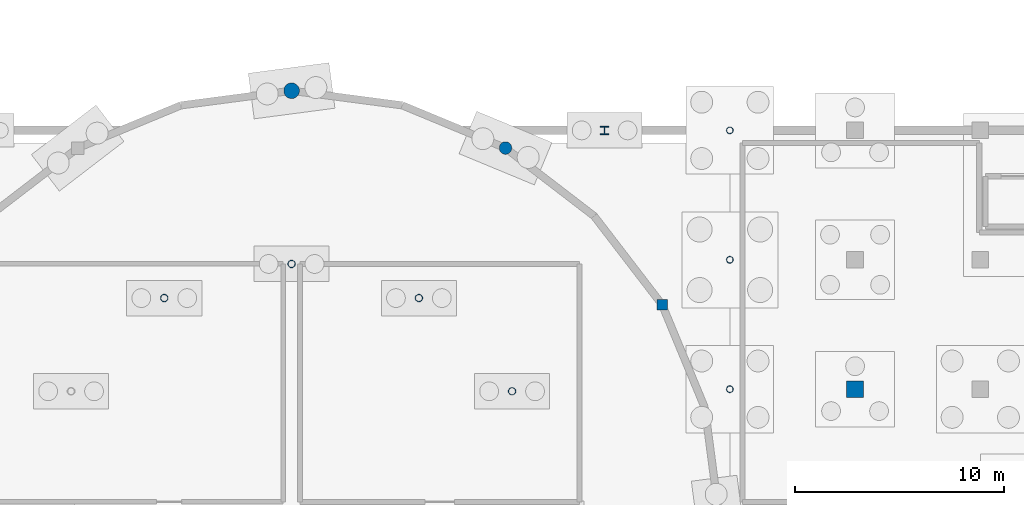
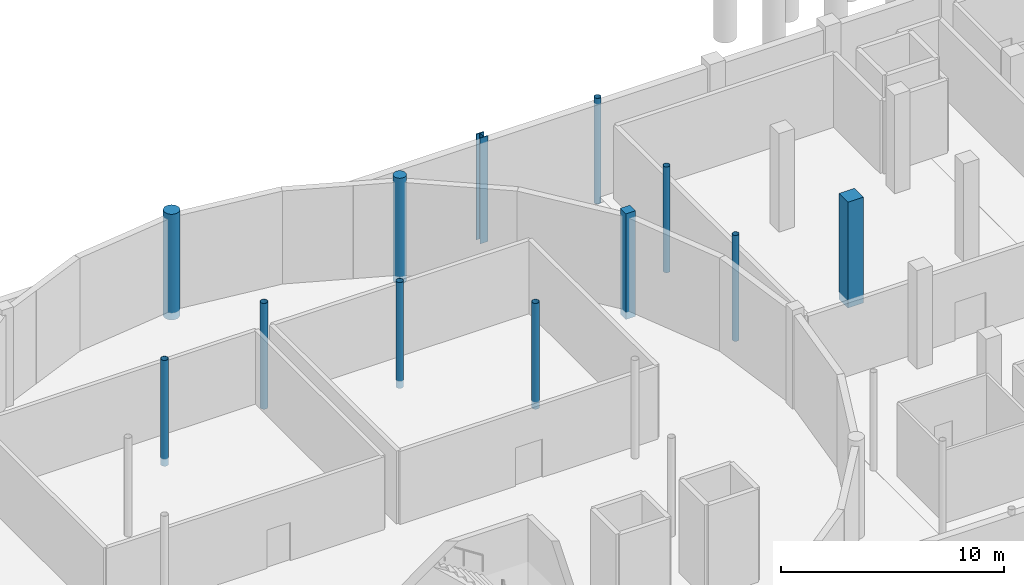
# One storey, part 9 of 19: 12 columns.
"""IFC4 building model written with IfcOpenShell, lengths in metres."""

from ifc_helpers import new_model, si_unit, direction, frame, origin, origin_2d, place, context, subcontext, project, spatial, rectangle, circle, hollow_circle, i_section, extrude, material, material_profile, profile_set, type_object, element, save


model = new_model("IFC4")

# Units and contexts
model_context = context("Model", 3, precision=1e-05, world=origin(), true_north=direction((0.0, 1.0)))
body_context = subcontext(model_context, "Body", "Model", "MODEL_VIEW")
ifc_project = project(units=[si_unit("LENGTHUNIT", "METRE"), si_unit("AREAUNIT", "SQUARE_METRE"), si_unit("VOLUMEUNIT", "CUBIC_METRE"), si_unit("PLANEANGLEUNIT", "RADIAN"), si_unit("MASSUNIT", "GRAM", prefix="KILO")], contexts=[model_context])

# Site, building, storey
site_placement = place(None, origin())
site = spatial("IfcSite", under=ifc_project, at=site_placement, CompositionType="ELEMENT")
building_placement = place(site_placement, origin())
building = spatial("IfcBuilding", under=site, at=building_placement, Name="Mirzam Square Science Centre", CompositionType="ELEMENT")
storey_placement = place(building_placement, frame((0.0, 0.0, -5.39990234375)))
storey = spatial("IfcBuildingStorey", under=building, at=storey_placement, Name="B01", CompositionType="ELEMENT", Elevation=-5.39990234375)

# Columns
ifc_material_1 = material(Name="Steel S355", Category="steel")
ifc_material_profile_1 = material_profile(ifc_material_1, hollow_circle(Radius=0.161865234375, WallThickness=0.012451171875, at=origin_2d()), Name="323.9x12.5CHS")
ifc_profile_set_1 = profile_set([ifc_material_profile_1], Name="Steel S355")
column_type_1 = type_object("IfcColumnType", Name="COL-CHS324", PredefinedType="COLUMN", material=ifc_profile_set_1)
for number, where, z_axis, x_axis, name in (
    (1, (102.0, 68.199951171875, -0.400146484375), (0.0, 0.0, 1.0), (1.0, 0.0, 0.0), "B01 column G18-12"),
    (2, (102.0, 74.39990234375, -0.400146484375), (0.0, 0.0, 1.0), (1.0, 0.0, 0.0), "B01 column G18-13"),
    (3, (102.0, 80.60009765625, -0.400146484375), (0.0, 0.0, 1.0), (1.0, 0.0, 0.0), "B01 column G18-14"),
):
    element("IfcColumn", number, at=place(storey_placement, frame(where, z_axis=z_axis, x_axis=x_axis)), inside=storey, type_object=column_type_1, Name=name, PredefinedType="COLUMN", context=body_context, shape_type="SweptSolid", body=[
        extrude(hollow_circle(Radius=0.161865234375, WallThickness=0.012451171875, at=origin_2d()), origin(), (0.0, 0.0, 1.0), 5.800048828125),
    ])
ifc_material_profile_2 = material_profile(ifc_material_1, hollow_circle(Radius=0.177734375, WallThickness=0.012451171875, at=origin_2d()), Name="355.6x12.5CHS")
ifc_profile_set_2 = profile_set([ifc_material_profile_2], Name="Steel S355")
column_type_2 = type_object("IfcColumnType", Name="COL-CHS355", PredefinedType="COLUMN", material=ifc_profile_set_2)
for number, where, z_axis, x_axis, name in (
    (4, (91.5654296875, 68.10009765625, -0.400146484375), (0.0, 0.0, 1.0), (1.0, 0.0, 0.0), "B01 inner drum column 02"),
    (5, (87.10009765625, 72.5654296875, -0.400146484375), (0.0, 0.0, 1.0), (1.0, 0.0, 0.0), "B01 inner drum column 03"),
    (6, (81.0, 74.199951171875, -0.400146484375), (0.0, 0.0, 1.0), (1.0, 0.0, 0.0), "B01 inner drum column 04"),
    (7, (74.89990234375, 72.5654296875, -0.400146484375), (0.0, 0.0, 1.0), (1.0, 0.0, 0.0), "B01 inner drum column 05"),
):
    element("IfcColumn", number, at=place(storey_placement, frame(where, z_axis=z_axis, x_axis=x_axis)), inside=storey, type_object=column_type_2, Name=name, PredefinedType="COLUMN", context=body_context, shape_type="SweptSolid", body=[
        extrude(hollow_circle(Radius=0.177734375, WallThickness=0.012451171875, at=origin_2d()), origin(), (0.0, 0.0, 1.0), 5.800048828125),
    ])
ifc_material_2 = material(Name="Concrete C45/55", Category="concrete")
ifc_material_profile_3 = material_profile(ifc_material_2, rectangle(XDim=0.800048828125, YDim=0.800048828125, at=origin_2d()), Name="RC800x800")
ifc_profile_set_3 = profile_set([ifc_material_profile_3], Name="Concrete C45/55")
column_type_3 = type_object("IfcColumnType", Name="COL-RC800", PredefinedType="COLUMN", material=ifc_profile_set_3)
column_1_placement = place(storey_placement, frame((108.0, 68.199951171875, -0.400146484375), z_axis=(0.0, 0.0, 1.0), x_axis=(1.0, 0.0, 0.0)))
element("IfcColumn", 8, at=column_1_placement, inside=storey, type_object=column_type_3, Name="B01 column G19-12", PredefinedType="COLUMN", context=body_context, shape_type="SweptSolid", body=[
    extrude(rectangle(XDim=0.800048828125, YDim=0.800048828125, at=origin_2d()), origin(), (0.0, 0.0, 1.0), 5.800048828125),
])
ifc_material_profile_4 = material_profile(ifc_material_1, i_section(OverallWidth=0.39892578125, OverallDepth=0.3935546875, WebThickness=0.022705078125, FlangeThickness=0.03662109375, FilletRadius=0.01513671875, at=origin_2d()), Name="356x406x287UC")
ifc_profile_set_4 = profile_set([ifc_material_profile_4], Name="Steel S355")
column_type_4 = type_object("IfcColumnType", Name="COL-UC356B", PredefinedType="COLUMN", material=ifc_profile_set_4)
column_2_placement = place(storey_placement, frame((96.0, 80.60009765625, -0.400146484375), z_axis=(0.0, 0.0, 1.0), x_axis=(1.0, 0.0, 0.0)))
element("IfcColumn", 9, at=column_2_placement, inside=storey, type_object=column_type_4, Name="B01 column G17-14", PredefinedType="COLUMN", context=body_context, shape_type="SweptSolid", body=[
    extrude(i_section(OverallWidth=0.39892578125, OverallDepth=0.3935546875, WebThickness=0.022705078125, FlangeThickness=0.03662109375, FilletRadius=0.01513671875, at=origin_2d()), origin(), (0.0, 0.0, 1.0), 5.800048828125),
])
ifc_material_profile_5 = material_profile(ifc_material_2, rectangle(XDim=0.5, YDim=0.5, at=origin_2d()), Name="RC500x500")
ifc_profile_set_5 = profile_set([ifc_material_profile_5], Name="Concrete C45/55")
column_type_5 = type_object("IfcColumnType", Name="PIL-RC500", PredefinedType="PILASTER", material=ifc_profile_set_5)
column_3_placement = place(storey_placement, frame((98.75341796875, 72.25, -0.400146484375), z_axis=(0.0, 0.0, 1.0), x_axis=(1.0, 0.0, 0.0)))
element("IfcColumn", 10, at=column_3_placement, inside=storey, type_object=column_type_5, Name="B01 drum pilaster 03", PredefinedType="PILASTER", context=body_context, shape_type="SweptSolid", body=[
    extrude(rectangle(XDim=0.5, YDim=0.5, at=origin_2d()), origin(), (0.0, 0.0, 1.0), 5.800048828125),
])
ifc_material_profile_6 = material_profile(ifc_material_2, circle(Radius=0.300048828125, at=origin_2d()), Name="RCD600")
ifc_profile_set_6 = profile_set([ifc_material_profile_6], Name="Concrete C45/55")
column_type_6 = type_object("IfcColumnType", Name="PIL-RCD600", PredefinedType="PILASTER", material=ifc_profile_set_6)
column_4_placement = place(storey_placement, frame((91.25, 79.75341796875, -0.400146484375), z_axis=(0.0, 0.0, 1.0), x_axis=(1.0, 0.0, 0.0)))
element("IfcColumn", 11, at=column_4_placement, inside=storey, type_object=column_type_6, Name="B01 drum pilaster 05", PredefinedType="PILASTER", context=body_context, shape_type="SweptSolid", body=[
    extrude(circle(Radius=0.300048828125, at=origin_2d()), origin(), (0.0, 0.0, 1.0), 5.800048828125),
])
ifc_material_profile_7 = material_profile(ifc_material_2, circle(Radius=0.375, at=origin_2d()), Name="RCD750")
ifc_profile_set_7 = profile_set([ifc_material_profile_7], Name="Concrete C45/55")
column_type_7 = type_object("IfcColumnType", Name="PIL-RCD750", PredefinedType="PILASTER", material=ifc_profile_set_7)
column_5_placement = place(storey_placement, frame((81.0, 82.5, -0.400146484375), z_axis=(0.0, 0.0, 1.0), x_axis=(1.0, 0.0, 0.0)))
element("IfcColumn", 12, at=column_5_placement, inside=storey, type_object=column_type_7, Name="B01 drum pilaster 07", PredefinedType="PILASTER", context=body_context, shape_type="SweptSolid", body=[
    extrude(circle(Radius=0.375, at=origin_2d()), origin(), (0.0, 0.0, 1.0), 5.800048828125),
])

save(model, "model.ifc")
